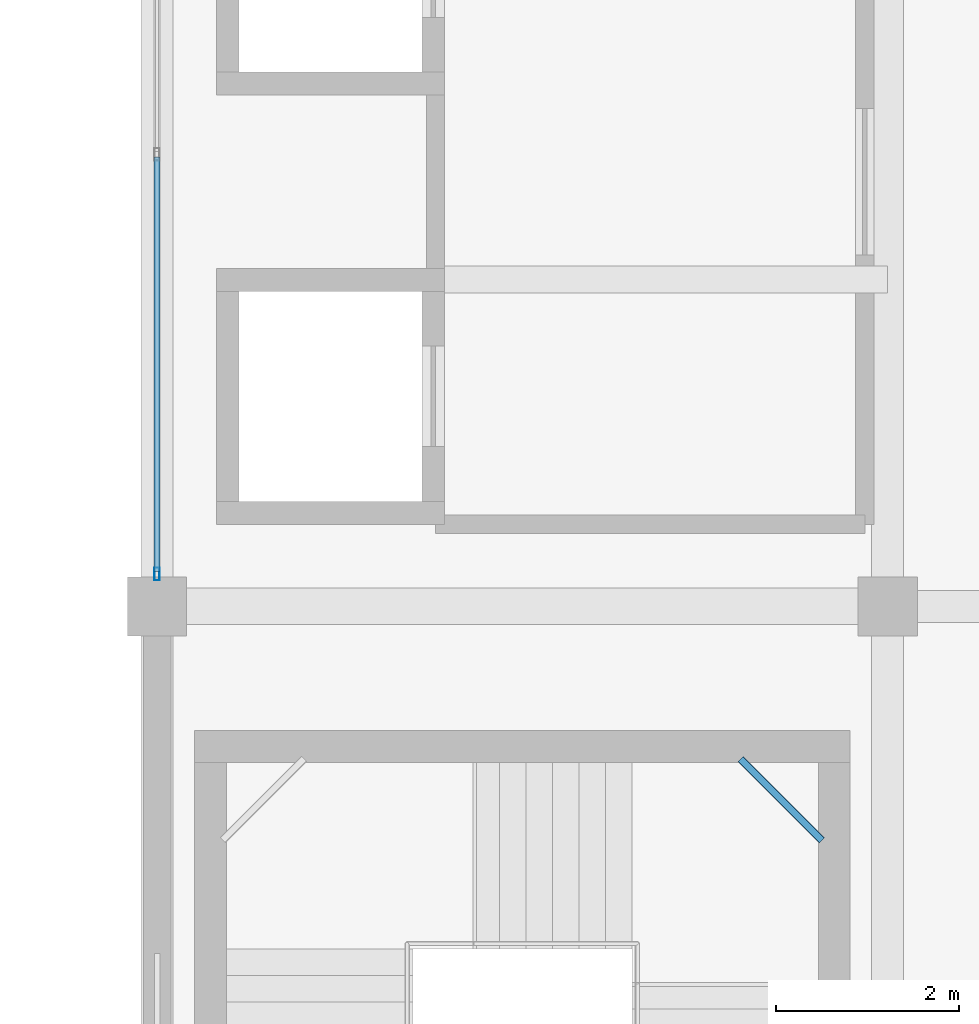
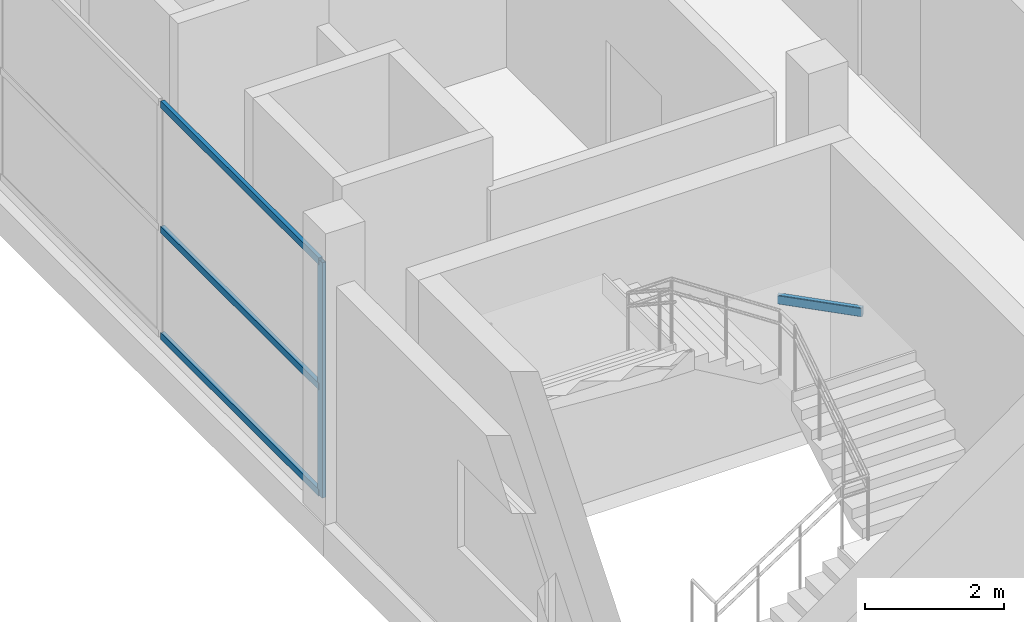
# One storey, part 6 of 66: 4 members, 1 beam, 1 element without a shape of its own.
"""IFC4 building model written with IfcOpenShell, lengths in metres."""

from ifc_helpers import new_model, si_unit, direction, frame, origin, origin_2d, place, context, subcontext, project, spatial, hollow_rectangle, extrude, material, layer, layer_set, material_profile, profile_set, type_object, element, aggregate, save


model = new_model("IFC4")

# Units and contexts
model_context = context("Model", 3, precision=1e-05, world=origin(), true_north=direction((0.0, 1.0)))
body_context = subcontext(model_context, "Body", "Model", "MODEL_VIEW")
ifc_project = project(units=[si_unit("LENGTHUNIT", "METRE"), si_unit("AREAUNIT", "SQUARE_METRE"), si_unit("VOLUMEUNIT", "CUBIC_METRE"), si_unit("PLANEANGLEUNIT", "RADIAN"), si_unit("MASSUNIT", "GRAM", prefix="KILO")], contexts=[model_context])

# Site, building, storey
site_placement = place(None, origin())
site = spatial("IfcSite", under=ifc_project, at=site_placement, CompositionType="ELEMENT")
building_placement = place(site_placement, origin())
building = spatial("IfcBuilding", under=site, at=building_placement, Name="Sillaruma Civic Art Gallery", CompositionType="ELEMENT")
storey_placement = place(building_placement, frame((0.0, 0.0, 57.1201171875)))
storey = spatial("IfcBuildingStorey", under=building, at=storey_placement, Name="L11", CompositionType="ELEMENT", Elevation=57.1201171875)

# Beam
ifc_material_1 = material(Name="Structural Steel ASTM A500 Gr.C", Category="steel")
ifc_material_profile_1 = material_profile(ifc_material_1, hollow_rectangle(XDim=0.080078125, YDim=0.159912109375, WallThickness=0.008056640625, InnerFilletRadius=0.008056640625, OuterFilletRadius=0.01611328125, at=origin_2d()), Name="HSS160x80x8")
ifc_profile_set_1 = profile_set([ifc_material_profile_1], Name="Structural Steel ASTM A500 Gr.C")
beam_type = type_object("IfcBeamType", Name="BM-LND-HSS160", PredefinedType="BEAM", material=ifc_profile_set_1)
beam_placement = place(storey_placement, frame((68.389892578125, 37.929931640625, 2.43994140625), z_axis=(0.707203758046, -0.707009791025, 0.0), x_axis=(0.707009791025, 0.707203758046, 0.0)))
element("IfcBeam", 1, at=beam_placement, inside=storey, type_object=beam_type, Name="Stair Corner Landing Trimmer Beam (ST-03-L11-2)", PredefinedType="BEAM", context=body_context, shape_type="SweptSolid", body=[
    extrude(hollow_rectangle(XDim=0.080078125, YDim=0.159912109375, WallThickness=0.008056640625, InnerFilletRadius=0.008056640625, OuterFilletRadius=0.01611328125, at=origin_2d()), origin(), (0.0, 0.0, 1.0), 1.2587890625),
])

# Curtain wall, members
ifc_material_2 = material(Name="Thermally Broken Extruded Aluminium 6063-T6", Category="aluminium")
ifc_layer = layer(ifc_material_2, 0.139892578125, Name="Thermally Broken Extruded Aluminium 6063-T6")
ifc_layer_set = layer_set([ifc_layer], Name="Thermally Broken Extruded Aluminium 6063-T6")
curtain_wall_type = type_object("IfcCurtainWallType", Name="CW-UNI-70", PredefinedType="NOTDEFINED", material=ifc_layer_set)
curtain_wall_placement = place(storey_placement, origin())
curtain_wall = element("IfcCurtainWall", 2, at=curtain_wall_placement, inside=storey, type_object=curtain_wall_type, Name="Unitised Curtain Wall CW-70 (CW-L11-WBW-3)", PredefinedType="NOTDEFINED")
ifc_material_profile_2 = material_profile(ifc_material_2, hollow_rectangle(XDim=0.06005859375, YDim=0.139892578125, WallThickness=0.00341796875, at=origin_2d()), Name="CWM60x140")
ifc_profile_set_2 = profile_set([ifc_material_profile_2], Name="Thermally Broken Extruded Aluminium 6063-T6")
member_type_1 = type_object("IfcMemberType", Name="MEM-MUL-CWM60x140", PredefinedType="MULLION", material=ifc_profile_set_2)
member_1_placement = place(storey_placement, frame((62.0, 39.955078125, 0.0), z_axis=(0.0, 0.0, 1.0), x_axis=(-1.0, 0.0, 0.0)))
member_1 = element("IfcMember", 3, at=member_1_placement, type_object=member_type_1, Name="CW-70 mullion 1", PredefinedType="MULLION", context=body_context, shape_type="SweptSolid", body=[
    extrude(hollow_rectangle(XDim=0.06005859375, YDim=0.139892578125, WallThickness=0.00341796875, at=origin_2d()), origin(), (0.0, 0.0, 1.0), 4.119873046875),
])
ifc_material_profile_3 = material_profile(ifc_material_2, hollow_rectangle(XDim=0.06494140625, YDim=0.1201171875, WallThickness=0.00341796875, at=origin_2d()), Name="CWT65x120")
ifc_profile_set_3 = profile_set([ifc_material_profile_3], Name="Thermally Broken Extruded Aluminium 6063-T6")
member_type_2 = type_object("IfcMemberType", Name="MEM-TRN-CWT65x120", PredefinedType="USERDEFINED", material=ifc_profile_set_3)
member_2_placement = place(storey_placement, frame((62.0, 39.985107421875, 0.032470703125), z_axis=(0.0, 1.0, 0.0), x_axis=(-1.0, 0.0, 0.0)))
member_2 = element("IfcMember", 4, at=member_2_placement, type_object=member_type_2, Name="CW-70 transom 1.1", ObjectType="TRANSOM", PredefinedType="USERDEFINED", context=body_context, shape_type="SweptSolid", body=[
    extrude(hollow_rectangle(XDim=0.06494140625, YDim=0.1201171875, WallThickness=0.00341796875, at=origin_2d()), origin(), (0.0, 0.0, 1.0), 4.534912109375),
])
member_3_placement = place(storey_placement, frame((62.0, 39.985107421875, 1.89501953125), z_axis=(0.0, 1.0, 0.0), x_axis=(-1.0, 0.0, 0.0)))
member_3 = element("IfcMember", 5, at=member_3_placement, type_object=member_type_2, Name="CW-70 transom 1.2", ObjectType="TRANSOM", PredefinedType="USERDEFINED", context=body_context, shape_type="SweptSolid", body=[
    extrude(hollow_rectangle(XDim=0.06494140625, YDim=0.1201171875, WallThickness=0.00341796875, at=origin_2d()), origin(), (0.0, 0.0, 1.0), 4.534912109375),
])
member_4_placement = place(storey_placement, frame((62.0, 39.985107421875, 4.08740234375), z_axis=(0.0, 1.0, 0.0), x_axis=(-1.0, 0.0, 0.0)))
member_4 = element("IfcMember", 6, at=member_4_placement, type_object=member_type_2, Name="CW-70 transom 1.3", ObjectType="TRANSOM", PredefinedType="USERDEFINED", context=body_context, shape_type="SweptSolid", body=[
    extrude(hollow_rectangle(XDim=0.06494140625, YDim=0.1201171875, WallThickness=0.00341796875, at=origin_2d()), origin(), (0.0, 0.0, 1.0), 4.534912109375),
])
aggregate(curtain_wall, [member_1, member_2, member_3, member_4])

save(model, "model.ifc")
